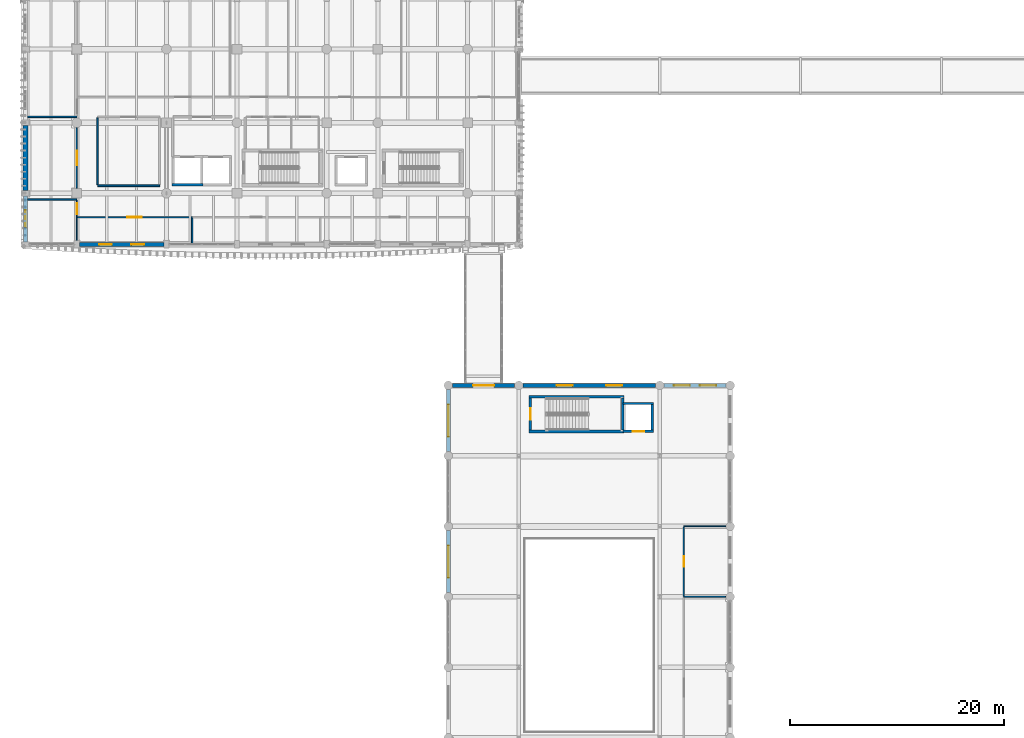
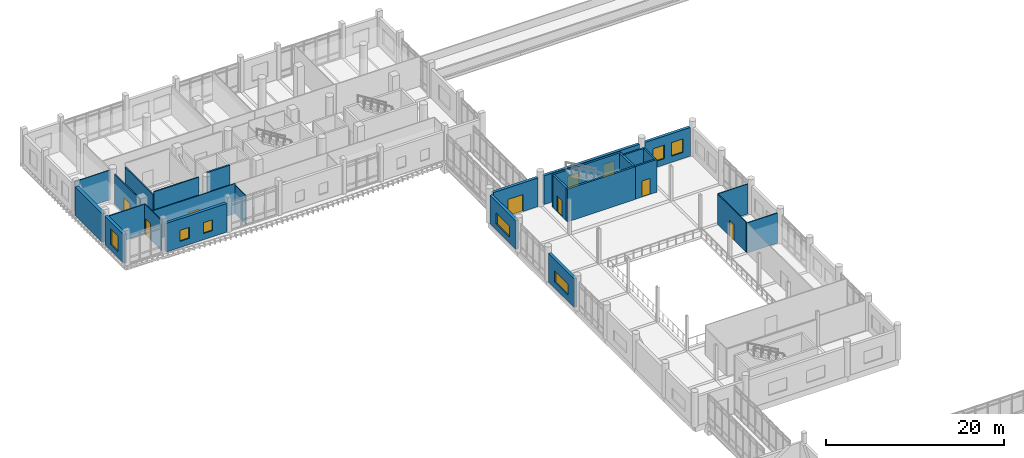
# One storey, part 69 of 101: 27 walls, 9 windows, 7 doors, 16 openings.
"""IFC4 building model written with IfcOpenShell, lengths in metres."""

from ifc_helpers import new_model, si_unit, direction, frame, frame_2d, origin, place, context, subcontext, project, spatial, rectangle, extrude, material, layer, layer_set, type_object, element, fill, save


model = new_model("IFC4")

# Units and contexts
model_context = context("Model", 3, precision=1e-05, world=origin(), true_north=direction((0.0, 1.0)))
body_context = subcontext(model_context, "Body", "Model", "MODEL_VIEW")
ifc_project = project(units=[si_unit("LENGTHUNIT", "METRE"), si_unit("AREAUNIT", "SQUARE_METRE"), si_unit("VOLUMEUNIT", "CUBIC_METRE"), si_unit("PLANEANGLEUNIT", "RADIAN"), si_unit("MASSUNIT", "GRAM", prefix="KILO")], contexts=[model_context])

# Site, building, storey
site_placement = place(None, origin())
site = spatial("IfcSite", under=ifc_project, at=site_placement, CompositionType="ELEMENT")
building_placement = place(site_placement, origin())
building = spatial("IfcBuilding", under=site, at=building_placement, Name="Dornvale Research Institute", CompositionType="ELEMENT")
storey_placement = place(building_placement, frame((0.0, 0.0, 10.199951171875)))
storey = spatial("IfcBuildingStorey", under=building, at=storey_placement, Name="L02", CompositionType="ELEMENT", Elevation=10.199951171875)

# Walls
ifc_material_1 = material(Name="Acoustic Insulated Double-Stud Laboratory Partition")
ifc_layer_1 = layer(ifc_material_1, 0.1201171875)
ifc_layer_set_1 = layer_set([ifc_layer_1], Name="Acoustic Insulated Double-Stud Laboratory Partition")
wall_type_1 = type_object("IfcWallType", Name="Partition_Dry_120", PredefinedType="PARTITIONING", material=ifc_layer_set_1)
for number, where, z_axis, x_axis, name in (
    (1, (0.195068359375, 103.199951171875, 0.0), (0.0, 0.0, 1.0), (1.0, 0.0, 0.0), "L02 V5 interior partition #247"),
    (2, (0.195068359375, 110.949951171875, 0.0), (0.0, 0.0, 1.0), (1.0, 0.0, 0.0), "L02 V5 interior partition #248"),
):
    element("IfcWall", number, at=place(storey_placement, frame(where, z_axis=z_axis, x_axis=x_axis)), inside=storey, type_object=wall_type_1, Name=name, PredefinedType="PARTITIONING", context=body_context, shape_type="SweptSolid", body=[
        extrude(rectangle(XDim=4.60498046875, YDim=0.1201171875, at=frame_2d((2.302490234375, 0.0))), origin(), (0.0, 0.0, 1.0), 4.080078125),
    ])

# Wall, opening, door
wall_1_placement = place(storey_placement, frame((4.800048828125, 104.27001953125, 0.0), z_axis=(0.0, 0.0, 1.0), x_axis=(0.0, 1.0, 0.0)))
wall_1 = element("IfcWall", 3, at=wall_1_placement, inside=storey, type_object=wall_type_1, Name="L02 V5 interior partition #249", PredefinedType="PARTITIONING", context=body_context, shape_type="SweptSolid", body=[
    extrude(rectangle(XDim=5.659912109375, YDim=0.1201171875, at=frame_2d((2.830078125, 0.0))), origin(), (0.0, 0.0, 1.0), 4.130126953125),
])
opening_1_placement = place(wall_1_placement, frame((2.169921875, 0.0, 0.0)))
opening_1 = element("IfcOpeningElement", 4, at=opening_1_placement, cuts=wall_1, Name="Opening ID-09", PredefinedType="OPENING", context=body_context, shape_type="SweptSolid", body=[
    extrude(rectangle(XDim=1.320068359375, YDim=2.199951171875, at=frame_2d((0.66015625, 1.10009765625))), frame((0.0, 0.074951171875, 0.0), z_axis=(0.0, -1.0, 0.0), x_axis=(1.0, 0.0, 0.0)), (0.0, 0.0, 1.0), 0.150146484375),
])
ifc_material_2 = material(Name="Phenolic-Faced Solid-Core Laboratory Door Assembly")
door_type_1 = type_object("IfcDoorType", Name="Door_DryLab_1320x2200", OperationType="SINGLE_SWING_LEFT", PredefinedType="DOOR", material=ifc_material_2)
door_1_placement = place(opening_1_placement, origin())
door_1 = element("IfcDoor", 5, at=door_1_placement, inside=storey, type_object=door_type_1, Name="L02 Optical Storage Calibration Room L02 door #99", OperationType="SINGLE_SWING_RIGHT", OverallHeight=2.199951171875, OverallWidth=1.320068359375, PredefinedType="DOOR", context=body_context, shape_type="SweptSolid", body=[
    extrude(rectangle(XDim=1.320068359375, YDim=2.199951171875, at=frame_2d((0.66015625, 1.10009765625))), frame((0.0, 0.02490234375, 0.0), z_axis=(0.0, -1.0, 0.0), x_axis=(1.0, 0.0, 0.0)), (0.0, 0.0, 1.0), 0.050048828125),
])
fill(opening_1, door_1)

wall_2_placement = place(storey_placement, frame((4.864990234375, 101.550048828125, 0.0), z_axis=(0.0, 0.0, 1.0), x_axis=(1.0, 0.0, 0.0)))
wall_2 = element("IfcWall", 6, at=wall_2_placement, inside=storey, type_object=wall_type_1, Name="L02 V5 interior partition #260", PredefinedType="PARTITIONING", context=body_context, shape_type="SweptSolid", body=[
    extrude(rectangle(XDim=10.735107421875, YDim=0.1201171875, at=frame_2d((5.36767578125, 0.0))), origin(), (0.0, 0.0, 1.0), 4.130126953125),
])
opening_2_placement = place(wall_2_placement, frame((4.64501953125, 0.0, 0.0)))
opening_2 = element("IfcOpeningElement", 7, at=opening_2_placement, cuts=wall_2, Name="Opening ID-08", PredefinedType="OPENING", context=body_context, shape_type="SweptSolid", body=[
    extrude(rectangle(XDim=1.3798828125, YDim=2.25, at=frame_2d((0.68994140625, 1.125))), frame((0.0, 0.074951171875, 0.0), z_axis=(0.0, -1.0, 0.0), x_axis=(1.0, 0.0, 0.0)), (0.0, 0.0, 1.0), 0.150146484375),
])
ifc_material_3 = material(Name="Insulated Fire-Rated Hollow Metal Door Assembly")
door_type_2 = type_object("IfcDoorType", Name="Door_DryLab_1380x2250", OperationType="SINGLE_SWING_LEFT", PredefinedType="DOOR", material=ifc_material_3)
door_2_placement = place(opening_2_placement, origin())
door_2 = element("IfcDoor", 8, at=door_2_placement, inside=storey, type_object=door_type_2, Name="L02 Biostatistics Dry Laboratory door #106", OperationType="SINGLE_SWING_LEFT", OverallHeight=2.25, OverallWidth=1.3798828125, PredefinedType="DOOR", context=body_context, shape_type="SweptSolid", body=[
    extrude(rectangle(XDim=1.3798828125, YDim=2.25, at=frame_2d((0.68994140625, 1.125))), frame((0.0, 0.02490234375, 0.0), z_axis=(0.0, -1.0, 0.0), x_axis=(1.0, 0.0, 0.0)), (0.0, 0.0, 1.0), 0.050048828125),
])
fill(opening_2, door_2)

# Walls
wall_3_placement = place(storey_placement, frame((15.60009765625, 99.0400390625, 0.0), z_axis=(0.0, 0.0, 1.0), x_axis=(0.0, 1.0, 0.0)))
element("IfcWall", 9, at=wall_3_placement, inside=storey, type_object=wall_type_1, Name="L02 V5 interior partition #261", PredefinedType="PARTITIONING", context=body_context, shape_type="SweptSolid", body=[
    extrude(rectangle(XDim=2.43505859375, YDim=0.1201171875, at=frame_2d((1.217529296875, 0.0))), origin(), (0.0, 0.0, 1.0), 3.929931640625),
])
wall_4_placement = place(storey_placement, frame((61.64990234375, 66.0, 0.0), z_axis=(0.0, 0.0, 1.0), x_axis=(1.0, 0.0, 0.0)))
element("IfcWall", 10, at=wall_4_placement, inside=storey, type_object=wall_type_1, Name="L02 V2 interior partition #313", PredefinedType="PARTITIONING", context=body_context, shape_type="SweptSolid", body=[
    extrude(rectangle(XDim=3.93017578125, YDim=0.1201171875, at=frame_2d((1.965087890625, 0.0))), origin(), (0.0, 0.0, 1.0), 4.130126953125),
])
ifc_material_4 = material(Name="Acoustic Insulated Double-Stud Laboratory Partition")
ifc_layer_2 = layer(ifc_material_4, 0.14990234375)
ifc_layer_set_2 = layer_set([ifc_layer_2], Name="Acoustic Insulated Double-Stud Laboratory Partition")
wall_type_2 = type_object("IfcWallType", Name="Partition_Lab_150", PredefinedType="PARTITIONING", material=ifc_layer_set_2)
wall_5_placement = place(storey_placement, frame((6.75, 104.5, 0.0), z_axis=(0.0, 0.0, 1.0), x_axis=(1.0, 0.0, 0.0)))
element("IfcWall", 11, at=wall_5_placement, inside=storey, type_object=wall_type_2, Name="L02 V5 interior partition #243", PredefinedType="PARTITIONING", context=body_context, shape_type="SweptSolid", body=[
    extrude(rectangle(XDim=5.800048828125, YDim=0.14990234375, at=frame_2d((2.89990234375, 0.0))), origin(), (0.0, 0.0, 1.0), 4.295166015625),
])
wall_6_placement = place(storey_placement, frame((6.75, 104.590087890625, 0.0), z_axis=(0.0, 0.0, 1.0), x_axis=(0.0, 1.0, 0.0)))
element("IfcWall", 12, at=wall_6_placement, inside=storey, type_object=wall_type_2, Name="L02 V5 interior partition #245", PredefinedType="PARTITIONING", context=body_context, shape_type="SweptSolid", body=[
    extrude(rectangle(XDim=6.27001953125, YDim=0.14990234375, at=frame_2d((3.135009765625, 0.0))), origin(), (0.0, 0.0, 1.0), 3.830078125),
])

# Wall, opening, door
ifc_material_5 = material(Name="Acoustic Insulated Double-Stud Laboratory Partition")
ifc_layer_3 = layer(ifc_material_5, 0.10009765625)
ifc_layer_set_3 = layer_set([ifc_layer_3], Name="Acoustic Insulated Double-Stud Laboratory Partition")
wall_type_3 = type_object("IfcWallType", Name="Partition_Office_100", PredefinedType="PARTITIONING", material=ifc_layer_set_3)
wall_7_placement = place(storey_placement, frame((4.800048828125, 99.3701171875, 0.0), z_axis=(0.0, 0.0, 1.0), x_axis=(0.0, 1.0, 0.0)))
wall_7 = element("IfcWall", 13, at=wall_7_placement, inside=storey, type_object=wall_type_3, Name="L02 V5 interior partition #259", PredefinedType="PARTITIONING", context=body_context, shape_type="SweptSolid", body=[
    extrude(rectangle(XDim=3.7548828125, YDim=0.10009765625, at=frame_2d((1.87744140625, 0.0))), origin(), (0.0, 0.0, 1.0), 4.130126953125),
])
opening_3_placement = place(wall_7_placement, frame((2.445068359375, 0.0, 0.0)))
opening_3 = element("IfcOpeningElement", 14, at=opening_3_placement, cuts=wall_7, Name="Opening ID-19", PredefinedType="OPENING", context=body_context, shape_type="SweptSolid", body=[
    extrude(rectangle(XDim=1.06005859375, YDim=2.199951171875, at=frame_2d((0.530029296875, 1.10009765625))), frame((0.0, 0.06494140625, 0.0), z_axis=(0.0, -1.0, 0.0), x_axis=(1.0, 0.0, 0.0)), (0.0, 0.0, 1.0), 0.130126953125),
])
ifc_material_6 = material(Name="Phenolic-Faced Solid-Core Laboratory Door Assembly")
door_type_3 = type_object("IfcDoorType", Name="Door_WriteUp_1060x2200", OperationType="SINGLE_SWING_LEFT", PredefinedType="DOOR", material=ifc_material_6)
door_3_placement = place(opening_3_placement, origin())
door_3 = element("IfcDoor", 15, at=door_3_placement, inside=storey, type_object=door_type_3, Name="L02 Research Instrument Study L02 door #105", OperationType="SINGLE_SWING_RIGHT", OverallHeight=2.199951171875, OverallWidth=1.06005859375, PredefinedType="DOOR", context=body_context, shape_type="SweptSolid", body=[
    extrude(rectangle(XDim=1.06005859375, YDim=2.199951171875, at=frame_2d((0.530029296875, 1.10009765625))), frame((0.0, 0.02490234375, 0.0), z_axis=(0.0, -1.0, 0.0), x_axis=(1.0, 0.0, 0.0)), (0.0, 0.0, 1.0), 0.050048828125),
])
fill(opening_3, door_3)

# Wall
wall_8_placement = place(storey_placement, frame((61.64990234375, 72.60009765625, 0.0), z_axis=(0.0, 0.0, 1.0), x_axis=(1.0, 0.0, 0.0)))
element("IfcWall", 16, at=wall_8_placement, inside=storey, type_object=wall_type_3, Name="L02 V2 interior partition #315", PredefinedType="PARTITIONING", context=body_context, shape_type="SweptSolid", body=[
    extrude(rectangle(XDim=3.93017578125, YDim=0.10009765625, at=frame_2d((1.965087890625, 0.0))), origin(), (0.0, 0.0, 1.0), 4.130126953125),
])

# Wall, opening, door
wall_9_placement = place(storey_placement, frame((61.64990234375, 66.074951171875, 0.0), z_axis=(0.0, 0.0, 1.0), x_axis=(0.0, 1.0, 0.0)))
wall_9 = element("IfcWall", 17, at=wall_9_placement, inside=storey, type_object=wall_type_3, Name="L02 V2 interior partition #316", PredefinedType="PARTITIONING", context=body_context, shape_type="SweptSolid", body=[
    extrude(rectangle(XDim=6.4599609375, YDim=0.10009765625, at=frame_2d((3.22998046875, 0.0))), origin(), (0.0, 0.0, 1.0), 4.130126953125),
])
opening_4_placement = place(wall_9_placement, frame((2.72509765625, 0.0, 0.0)))
opening_4 = element("IfcOpeningElement", 18, at=opening_4_placement, cuts=wall_9, Name="Opening ID-24", PredefinedType="OPENING", context=body_context, shape_type="SweptSolid", body=[
    extrude(rectangle(XDim=1.0, YDim=2.14990234375, at=frame_2d((0.5, 1.074951171875))), frame((0.0, 0.06494140625, 0.0), z_axis=(0.0, -1.0, 0.0), x_axis=(1.0, 0.0, 0.0)), (0.0, 0.0, 1.0), 0.130126953125),
])
ifc_material_7 = material(Name="Phenolic-Faced Solid-Core Laboratory Door Assembly")
door_type_4 = type_object("IfcDoorType", Name="Door_AccWC_1000x2150", OperationType="SINGLE_SWING_LEFT", PredefinedType="DOOR", material=ifc_material_7)
door_4_placement = place(opening_4_placement, origin())
door_4 = element("IfcDoor", 19, at=door_4_placement, inside=storey, type_object=door_type_4, Name="L02 Atrium Accessible Restroom L02 door #126", OperationType="SINGLE_SWING_LEFT", OverallHeight=2.14990234375, OverallWidth=1.0, PredefinedType="DOOR", context=body_context, shape_type="SweptSolid", body=[
    extrude(rectangle(XDim=1.0, YDim=2.14990234375, at=frame_2d((0.5, 1.074951171875))), frame((0.0, 0.02490234375, 0.0), z_axis=(0.0, -1.0, 0.0), x_axis=(1.0, 0.0, 0.0)), (0.0, 0.0, 1.0), 0.050048828125),
])
fill(opening_4, door_4)

# Walls
ifc_material_8 = material(Name="Concrete f'c 45 MPa (C35/45)", Category="concrete")
ifc_layer_4 = layer(ifc_material_8, 0.25)
ifc_layer_set_4 = layer_set([ifc_layer_4], Name="Concrete f'c 45 MPa (C35/45)")
wall_type_4 = type_object("IfcWallType", Name="ShearWall_Core_250", PredefinedType="SHEAR", material=ifc_layer_set_4)
for number, where, z_axis, x_axis, name in (
    (20, (47.14990234375, 81.47509765625, 0.0), (0.0, 0.0, 1.0), (1.0, 0.0, 0.0), "L02 ST-8 shaft shear wall south"),
    (21, (47.14990234375, 84.72509765625, 0.0), (0.0, 0.0, 1.0), (1.0, 0.0, 0.0), "L02 ST-8 shaft shear wall north"),
):
    element("IfcWall", number, at=place(storey_placement, frame(where, z_axis=z_axis, x_axis=x_axis)), inside=storey, type_object=wall_type_4, Name=name, PredefinedType="SHEAR", context=body_context, shape_type="SweptSolid", body=[
        extrude(rectangle(XDim=8.900146484375, YDim=0.25, at=frame_2d((4.4501953125, 0.0))), origin(), (0.0, 0.0, 1.0), 4.5),
    ])

# Wall, opening, door
wall_10_placement = place(storey_placement, frame((47.27490234375, 81.60009765625, 0.0), z_axis=(0.0, 0.0, 1.0), x_axis=(0.0, 1.0, 0.0)))
wall_10 = element("IfcWall", 22, at=wall_10_placement, inside=storey, type_object=wall_type_4, Name="L02 ST-8 shaft shear wall west", PredefinedType="SHEAR", context=body_context, shape_type="SweptSolid", body=[
    extrude(rectangle(XDim=3.0, YDim=0.25, at=frame_2d((1.5, 0.0))), origin(), (0.0, 0.0, 1.0), 4.5),
])
opening_5_placement = place(wall_10_placement, frame((0.9599609375, 0.0, 0.0)))
opening_5 = element("IfcOpeningElement", 23, at=opening_5_placement, cuts=wall_10, Name="Opening SD-02", PredefinedType="OPENING", context=body_context, shape_type="SweptSolid", body=[
    extrude(rectangle(XDim=1.080078125, YDim=2.199951171875, at=frame_2d((0.5400390625, 1.10009765625))), frame((0.0, 0.139892578125, 0.0), z_axis=(0.0, -1.0, 0.0), x_axis=(1.0, 0.0, 0.0)), (0.0, 0.0, 1.0), 0.280029296875),
])
ifc_material_9 = material(Name="Insulated Fire-Rated Hollow Metal Door Assembly")
door_type_5 = type_object("IfcDoorType", Name="Door_Stair_1080x2200", OperationType="SINGLE_SWING_LEFT", PredefinedType="DOOR", material=ifc_material_9)
door_5_placement = place(opening_5_placement, origin())
door_5 = element("IfcDoor", 24, at=door_5_placement, inside=storey, type_object=door_type_5, Name="L02 ST-8 exit stair door #57", OperationType="SINGLE_SWING_LEFT", OverallHeight=2.199951171875, OverallWidth=1.080078125, PredefinedType="DOOR", context=body_context, shape_type="SweptSolid", body=[
    extrude(rectangle(XDim=1.080078125, YDim=2.199951171875, at=frame_2d((0.5400390625, 1.10009765625))), frame((0.0, 0.02490234375, 0.0), z_axis=(0.0, -1.0, 0.0), x_axis=(1.0, 0.0, 0.0)), (0.0, 0.0, 1.0), 0.050048828125),
])
fill(opening_5, door_5)

# Walls
wall_11_placement = place(storey_placement, frame((55.925048828125, 81.60009765625, 0.0), z_axis=(0.0, 0.0, 1.0), x_axis=(0.0, 1.0, 0.0)))
element("IfcWall", 25, at=wall_11_placement, inside=storey, type_object=wall_type_4, Name="L02 ST-8 shaft shear wall east", PredefinedType="SHEAR", context=body_context, shape_type="SweptSolid", body=[
    extrude(rectangle(XDim=3.0, YDim=0.25, at=frame_2d((1.5, 0.0))), origin(), (0.0, 0.0, 1.0), 4.5),
])
ifc_material_10 = material(Name="Concrete f'c 45 MPa (C35/45)", Category="concrete")
ifc_layer_5 = layer(ifc_material_10, 0.219970703125)
ifc_layer_set_5 = layer_set([ifc_layer_5], Name="Concrete f'c 45 MPa (C35/45)")
wall_type_5 = type_object("IfcWallType", Name="ShearWall_Shaft_220", PredefinedType="SHEAR", material=ifc_layer_set_5)
wall_12_placement = place(storey_placement, frame((13.72998046875, 104.590087890625, 0.0), z_axis=(0.0, 0.0, 1.0), x_axis=(1.0, 0.0, 0.0)))
element("IfcWall", 26, at=wall_12_placement, inside=storey, type_object=wall_type_5, Name="L02 FS1 elevator shaft wall south", PredefinedType="SHEAR", context=body_context, shape_type="SweptSolid", body=[
    extrude(rectangle(XDim=2.89013671875, YDim=0.219970703125, at=frame_2d((1.445068359375, 0.0))), origin(), (0.0, 0.0, 1.0), 4.47998046875),
])

# Wall, opening, door
wall_13_placement = place(storey_placement, frame((55.97998046875, 81.489990234375, 0.0), z_axis=(0.0, 0.0, 1.0), x_axis=(1.0, 0.0, 0.0)))
wall_13 = element("IfcWall", 27, at=wall_13_placement, inside=storey, type_object=wall_type_5, Name="L02 LP3 elevator shaft wall south", PredefinedType="SHEAR", context=body_context, shape_type="SweptSolid", body=[
    extrude(rectangle(XDim=2.840087890625, YDim=0.219970703125, at=frame_2d((1.419921875, 0.0))), origin(), (0.0, 0.0, 1.0), 4.5),
])
opening_6_placement = place(wall_13_placement, frame((0.8701171875, 0.0, 0.0)))
opening_6 = element("IfcOpeningElement", 28, at=opening_6_placement, cuts=wall_13, Name="Opening LD-02", PredefinedType="OPENING", context=body_context, shape_type="SweptSolid", body=[
    extrude(rectangle(XDim=1.10009765625, YDim=2.199951171875, at=frame_2d((0.550048828125, 1.10009765625))), frame((0.0, 0.125, 0.0), z_axis=(0.0, -1.0, 0.0), x_axis=(1.0, 0.0, 0.0)), (0.0, 0.0, 1.0), 0.25),
])
ifc_material_11 = material(Name="Brushed Stainless Steel Sliding Elevator Landing Door", Category="steel")
door_type_6 = type_object("IfcDoorType", Name="Door_LiftLanding_Pass_1100x2200", OperationType="SINGLE_SWING_LEFT", PredefinedType="DOOR", material=ifc_material_11)
door_6_placement = place(opening_6_placement, origin())
door_6 = element("IfcDoor", 29, at=door_6_placement, inside=storey, type_object=door_type_6, Name="L02 LP3 sliding elevator landing door #60", OperationType="SLIDING_TO_LEFT", OverallHeight=2.199951171875, OverallWidth=1.10009765625, PredefinedType="DOOR", context=body_context, shape_type="SweptSolid", body=[
    extrude(rectangle(XDim=1.10009765625, YDim=2.199951171875, at=frame_2d((0.550048828125, 1.10009765625))), frame((0.0, 0.02490234375, 0.0), z_axis=(0.0, -1.0, 0.0), x_axis=(1.0, 0.0, 0.0)), (0.0, 0.0, 1.0), 0.050048828125),
])
fill(opening_6, door_6)

# Walls
wall_14_placement = place(storey_placement, frame((55.97998046875, 84.110107421875, 0.0), z_axis=(0.0, 0.0, 1.0), x_axis=(1.0, 0.0, 0.0)))
element("IfcWall", 30, at=wall_14_placement, inside=storey, type_object=wall_type_5, Name="L02 LP3 elevator shaft wall north", PredefinedType="SHEAR", context=body_context, shape_type="SweptSolid", body=[
    extrude(rectangle(XDim=2.840087890625, YDim=0.219970703125, at=frame_2d((1.419921875, 0.0))), origin(), (0.0, 0.0, 1.0), 4.5),
])
wall_15_placement = place(storey_placement, frame((58.7099609375, 81.60009765625, 0.0), z_axis=(0.0, 0.0, 1.0), x_axis=(0.0, 1.0, 0.0)))
element("IfcWall", 31, at=wall_15_placement, inside=storey, type_object=wall_type_5, Name="L02 LP3 elevator shaft wall east", PredefinedType="SHEAR", context=body_context, shape_type="SweptSolid", body=[
    extrude(rectangle(XDim=2.39990234375, YDim=0.219970703125, at=frame_2d((1.199951171875, 0.0))), origin(), (0.0, 0.0, 1.0), 4.5),
])
ifc_material_12 = material(Name="Precast Concrete f'c 40 MPa (C32/40) and Glazed Terracotta Backup Wall", Category="masonry")
ifc_layer_6 = layer(ifc_material_12, 0.449951171875)
ifc_layer_set_6 = layer_set([ifc_layer_6], Name="Precast Concrete f'c 40 MPa (C32/40) and Glazed Terracotta Backup Wall")
wall_type_6 = type_object("IfcWallType", Name="SolidWall_ShearBraceBay_450", PredefinedType="SOLIDWALL", material=ifc_layer_set_6)
wall_16_placement = place(storey_placement, frame((0.0, 104.050048828125, 0.0), z_axis=(0.0, 0.0, 1.0), x_axis=(0.0, 1.0, 0.0)))
element("IfcWall", 32, at=wall_16_placement, inside=storey, type_object=wall_type_6, Name="L02 V5 west exterior wall #319", PredefinedType="SOLIDWALL", context=body_context, shape_type="SweptSolid", body=[
    extrude(rectangle(XDim=6.099853515625, YDim=0.449951171875, at=frame_2d((3.0498046875, 0.0))), origin(), (0.0, 0.0, 1.0), 3.949951171875),
])

# Wall, opening, window
ifc_material_13 = material(Name="Catalan Pressed Brick and Insulated Cavity Assembly", Category="masonry")
ifc_layer_7 = layer(ifc_material_13, 0.360107421875)
ifc_layer_set_7 = layer_set([ifc_layer_7], Name="Catalan Pressed Brick and Insulated Cavity Assembly")
wall_type_7 = type_object("IfcWallType", Name="StandardWall_BrickCavity_360", PredefinedType="STANDARD", material=ifc_layer_set_7)
wall_17_placement = place(storey_placement, frame((39.60009765625, 66.39501953125, 0.0), z_axis=(0.0, 0.0, 1.0), x_axis=(0.0, 1.0, 0.0)))
wall_17 = element("IfcWall", 33, at=wall_17_placement, inside=storey, type_object=wall_type_7, Name="L02 V2 west exterior wall #83", PredefinedType="STANDARD", context=body_context, shape_type="SweptSolid", body=[
    extrude(rectangle(XDim=5.81005859375, YDim=0.360107421875, at=frame_2d((2.905029296875, 0.0))), origin(), (0.0, 0.0, 1.0), 3.949951171875),
])
opening_7_placement = place(wall_17_placement, frame((1.405029296875, 0.0, 0.85009765625)))
opening_7 = element("IfcOpeningElement", 34, at=opening_7_placement, cuts=wall_17, Name="Opening W-12", PredefinedType="OPENING", context=body_context, shape_type="SweptSolid", body=[
    extrude(rectangle(XDim=3.0, YDim=1.5, at=frame_2d((1.5, 0.75))), frame((0.0, 0.195068359375, 0.0), z_axis=(0.0, -1.0, 0.0), x_axis=(1.0, 0.0, 0.0)), (0.0, 0.0, 1.0), 0.39013671875),
])
ifc_material_14 = material(Name="Low-E Argon Double Insulating Glazing Unit", Category="glass")
window_type_1 = type_object("IfcWindowType", Name="Window_Alu_3000x1500_12", PartitioningType="DOUBLE_PANEL_VERTICAL", PredefinedType="WINDOW", material=ifc_material_14)
window_1_placement = place(opening_7_placement, origin())
window_1 = element("IfcWindow", 35, at=window_1_placement, inside=storey, type_object=window_type_1, Name="L02 V2 facade window W-12 #101", OverallHeight=1.5, OverallWidth=3.0, PartitioningType="DOUBLE_PANEL_VERTICAL", PredefinedType="WINDOW", context=body_context, shape_type="SweptSolid", body=[
    extrude(rectangle(XDim=3.0, YDim=1.5, at=frame_2d((1.5, 0.75))), frame((0.0, 0.030029296875, 0.0), z_axis=(0.0, -1.0, 0.0), x_axis=(1.0, 0.0, 0.0)), (0.0, 0.0, 1.0), 0.06005859375),
])
fill(opening_7, window_1)

wall_18_placement = place(storey_placement, frame((39.60009765625, 79.594970703125, 0.0), z_axis=(0.0, 0.0, 1.0), x_axis=(0.0, 1.0, 0.0)))
wall_18 = element("IfcWall", 36, at=wall_18_placement, inside=storey, type_object=wall_type_7, Name="L02 V2 west exterior wall #84", PredefinedType="STANDARD", context=body_context, shape_type="SweptSolid", body=[
    extrude(rectangle(XDim=5.81005859375, YDim=0.360107421875, at=frame_2d((2.905029296875, 0.0))), origin(), (0.0, 0.0, 1.0), 3.949951171875),
])
opening_8_placement = place(wall_18_placement, frame((1.405029296875, 0.0, 0.85009765625)))
opening_8 = element("IfcOpeningElement", 37, at=opening_8_placement, cuts=wall_18, Name="Opening W-12", PredefinedType="OPENING", context=body_context, shape_type="SweptSolid", body=[
    extrude(rectangle(XDim=3.0, YDim=1.5, at=frame_2d((1.5, 0.75))), frame((0.0, 0.195068359375, 0.0), z_axis=(0.0, -1.0, 0.0), x_axis=(1.0, 0.0, 0.0)), (0.0, 0.0, 1.0), 0.39013671875),
])
window_2_placement = place(opening_8_placement, origin())
window_2 = element("IfcWindow", 38, at=window_2_placement, inside=storey, type_object=window_type_1, Name="L02 V2 facade window W-12 #102", OverallHeight=1.5, OverallWidth=3.0, PartitioningType="DOUBLE_PANEL_VERTICAL", PredefinedType="WINDOW", context=body_context, shape_type="SweptSolid", body=[
    extrude(rectangle(XDim=3.0, YDim=1.5, at=frame_2d((1.5, 0.75))), frame((0.0, 0.030029296875, 0.0), z_axis=(0.0, -1.0, 0.0), x_axis=(1.0, 0.0, 0.0)), (0.0, 0.0, 1.0), 0.06005859375),
])
fill(opening_8, window_2)

# Wall, opening, door
wall_19_placement = place(storey_placement, frame((39.9951171875, 85.800048828125, 0.0), z_axis=(0.0, 0.0, 1.0), x_axis=(1.0, 0.0, 0.0)))
wall_19 = element("IfcWall", 39, at=wall_19_placement, inside=storey, type_object=wall_type_7, Name="L02 V2 north exterior wall #85", PredefinedType="STANDARD", context=body_context, shape_type="SweptSolid", body=[
    extrude(rectangle(XDim=5.809814453125, YDim=0.360107421875, at=frame_2d((2.90478515625, 0.0))), origin(), (0.0, 0.0, 1.0), 3.949951171875),
])
opening_9_placement = place(wall_19_placement, frame((1.929931640625, 0.0, 0.0)))
opening_9 = element("IfcOpeningElement", 40, at=opening_9_placement, cuts=wall_19, Name="Opening BD-01", PredefinedType="OPENING", context=body_context, shape_type="SweptSolid", body=[
    extrude(rectangle(XDim=1.949951171875, YDim=2.35009765625, at=frame_2d((0.97509765625, 1.175048828125))), frame((0.0, 0.195068359375, 0.0), z_axis=(0.0, -1.0, 0.0), x_axis=(1.0, 0.0, 0.0)), (0.0, 0.0, 1.0), 0.39013671875),
])
ifc_material_15 = material(Name="Galvanized Hollow Metal Insulated Door Assembly")
door_type_7 = type_object("IfcDoorType", Name="Door_BridgeJoint_1950x2350", OperationType="SINGLE_SWING_LEFT", PredefinedType="DOOR", material=ifc_material_15)
door_7_placement = place(opening_9_placement, origin())
door_7 = element("IfcDoor", 41, at=door_7_placement, inside=storey, type_object=door_type_7, Name="L02 V2 skybridge door BD-01 #12", OperationType="DOUBLE_DOOR_SINGLE_SWING", OverallHeight=2.35009765625, OverallWidth=1.949951171875, PredefinedType="DOOR", context=body_context, shape_type="SweptSolid", body=[
    extrude(rectangle(XDim=1.949951171875, YDim=2.35009765625, at=frame_2d((0.97509765625, 1.175048828125))), frame((0.0, 0.02490234375, 0.0), z_axis=(0.0, -1.0, 0.0), x_axis=(1.0, 0.0, 0.0)), (0.0, 0.0, 1.0), 0.050048828125),
])
fill(opening_9, door_7)

# Wall, openings, windows
wall_20_placement = place(storey_placement, frame((46.594970703125, 85.800048828125, 0.0), z_axis=(0.0, 0.0, 1.0), x_axis=(1.0, 0.0, 0.0)))
wall_20 = element("IfcWall", 42, at=wall_20_placement, inside=storey, type_object=wall_type_7, Name="L02 V2 north exterior wall #86", PredefinedType="STANDARD", context=body_context, shape_type="SweptSolid", body=[
    extrude(rectangle(XDim=12.409912109375, YDim=0.360107421875, at=frame_2d((6.205078125, 0.0))), origin(), (0.0, 0.0, 1.0), 3.949951171875),
])
opening_10_placement = place(wall_20_placement, frame((3.13671875, 0.0, 0.85009765625)))
opening_10 = element("IfcOpeningElement", 43, at=opening_10_placement, cuts=wall_20, Name="Opening W-15", PredefinedType="OPENING", context=body_context, shape_type="SweptSolid", body=[
    extrude(rectangle(XDim=1.5, YDim=1.860107421875, at=frame_2d((0.75, 0.93017578125))), frame((0.0, 0.195068359375, 0.0), z_axis=(0.0, -1.0, 0.0), x_axis=(1.0, 0.0, 0.0)), (0.0, 0.0, 1.0), 0.39013671875),
])
opening_11_placement = place(wall_20_placement, frame((7.7734375, 0.0, 0.85009765625)))
opening_11 = element("IfcOpeningElement", 44, at=opening_11_placement, cuts=wall_20, Name="Opening W-15", PredefinedType="OPENING", context=body_context, shape_type="SweptSolid", body=[
    extrude(rectangle(XDim=1.5, YDim=1.860107421875, at=frame_2d((0.75, 0.93017578125))), frame((0.0, 0.195068359375, 0.0), z_axis=(0.0, -1.0, 0.0), x_axis=(1.0, 0.0, 0.0)), (0.0, 0.0, 1.0), 0.39013671875),
])
ifc_material_16 = material(Name="Low-E Argon Double Insulating Glazing Unit", Category="glass")
window_type_2 = type_object("IfcWindowType", Name="Window_Alu_1500x1860_15", PartitioningType="SINGLE_PANEL", PredefinedType="WINDOW", material=ifc_material_16)
window_3_placement = place(opening_10_placement, origin())
window_3 = element("IfcWindow", 45, at=window_3_placement, inside=storey, type_object=window_type_2, Name="L02 V2 facade window W-15 #103", OverallHeight=1.860107421875, OverallWidth=1.5, PartitioningType="SINGLE_PANEL", PredefinedType="WINDOW", context=body_context, shape_type="SweptSolid", body=[
    extrude(rectangle(XDim=1.5, YDim=1.860107421875, at=frame_2d((0.75, 0.93017578125))), frame((0.0, 0.030029296875, 0.0), z_axis=(0.0, -1.0, 0.0), x_axis=(1.0, 0.0, 0.0)), (0.0, 0.0, 1.0), 0.06005859375),
])
fill(opening_10, window_3)
window_4_placement = place(opening_11_placement, origin())
window_4 = element("IfcWindow", 46, at=window_4_placement, inside=storey, type_object=window_type_2, Name="L02 V2 facade window W-15 #104", OverallHeight=1.860107421875, OverallWidth=1.5, PartitioningType="SINGLE_PANEL", PredefinedType="WINDOW", context=body_context, shape_type="SweptSolid", body=[
    extrude(rectangle(XDim=1.5, YDim=1.860107421875, at=frame_2d((0.75, 0.93017578125))), frame((0.0, 0.030029296875, 0.0), z_axis=(0.0, -1.0, 0.0), x_axis=(1.0, 0.0, 0.0)), (0.0, 0.0, 1.0), 0.06005859375),
])
fill(opening_11, window_4)

wall_21_placement = place(storey_placement, frame((59.794921875, 85.800048828125, 0.0), z_axis=(0.0, 0.0, 1.0), x_axis=(1.0, 0.0, 0.0)))
wall_21 = element("IfcWall", 47, at=wall_21_placement, inside=storey, type_object=wall_type_7, Name="L02 V2 north exterior wall #87", PredefinedType="STANDARD", context=body_context, shape_type="SweptSolid", body=[
    extrude(rectangle(XDim=5.81005859375, YDim=0.360107421875, at=frame_2d((2.905029296875, 0.0))), origin(), (0.0, 0.0, 1.0), 3.949951171875),
])
opening_12_placement = place(wall_21_placement, frame((0.936767578125, 0.0, 0.85009765625)))
opening_12 = element("IfcOpeningElement", 48, at=opening_12_placement, cuts=wall_21, Name="Opening W-15", PredefinedType="OPENING", context=body_context, shape_type="SweptSolid", body=[
    extrude(rectangle(XDim=1.5, YDim=1.860107421875, at=frame_2d((0.75, 0.93017578125))), frame((0.0, 0.195068359375, 0.0), z_axis=(0.0, -1.0, 0.0), x_axis=(1.0, 0.0, 0.0)), (0.0, 0.0, 1.0), 0.39013671875),
])
opening_13_placement = place(wall_21_placement, frame((3.373291015625, 0.0, 0.85009765625)))
opening_13 = element("IfcOpeningElement", 49, at=opening_13_placement, cuts=wall_21, Name="Opening W-15", PredefinedType="OPENING", context=body_context, shape_type="SweptSolid", body=[
    extrude(rectangle(XDim=1.5, YDim=1.860107421875, at=frame_2d((0.75, 0.93017578125))), frame((0.0, 0.195068359375, 0.0), z_axis=(0.0, -1.0, 0.0), x_axis=(1.0, 0.0, 0.0)), (0.0, 0.0, 1.0), 0.39013671875),
])
window_5_placement = place(opening_12_placement, origin())
window_5 = element("IfcWindow", 50, at=window_5_placement, inside=storey, type_object=window_type_2, Name="L02 V2 facade window W-15 #105", OverallHeight=1.860107421875, OverallWidth=1.5, PartitioningType="SINGLE_PANEL", PredefinedType="WINDOW", context=body_context, shape_type="SweptSolid", body=[
    extrude(rectangle(XDim=1.5, YDim=1.860107421875, at=frame_2d((0.75, 0.93017578125))), frame((0.0, 0.030029296875, 0.0), z_axis=(0.0, -1.0, 0.0), x_axis=(1.0, 0.0, 0.0)), (0.0, 0.0, 1.0), 0.06005859375),
])
fill(opening_12, window_5)
window_6_placement = place(opening_13_placement, origin())
window_6 = element("IfcWindow", 51, at=window_6_placement, inside=storey, type_object=window_type_2, Name="L02 V2 facade window W-15 #106", OverallHeight=1.860107421875, OverallWidth=1.5, PartitioningType="SINGLE_PANEL", PredefinedType="WINDOW", context=body_context, shape_type="SweptSolid", body=[
    extrude(rectangle(XDim=1.5, YDim=1.860107421875, at=frame_2d((0.75, 0.93017578125))), frame((0.0, 0.030029296875, 0.0), z_axis=(0.0, -1.0, 0.0), x_axis=(1.0, 0.0, 0.0)), (0.0, 0.0, 1.0), 0.06005859375),
])
fill(opening_13, window_6)

# Wall, opening, window
wall_22_placement = place(storey_placement, frame((0.0, 99.25, 0.0), z_axis=(0.0, 0.0, 1.0), x_axis=(0.0, 1.0, 0.0)))
wall_22 = element("IfcWall", 52, at=wall_22_placement, inside=storey, type_object=wall_type_7, Name="L02 V5 west exterior wall #318", PredefinedType="STANDARD", context=body_context, shape_type="SweptSolid", body=[
    extrude(rectangle(XDim=4.300048828125, YDim=0.360107421875, at=frame_2d((2.14990234375, 0.0))), origin(), (0.0, 0.0, 1.0), 3.949951171875),
])
opening_14_placement = place(wall_22_placement, frame((1.324951171875, 0.0, 0.85009765625)))
opening_14 = element("IfcOpeningElement", 53, at=opening_14_placement, cuts=wall_22, Name="Opening W-40", PredefinedType="OPENING", context=body_context, shape_type="SweptSolid", body=[
    extrude(rectangle(XDim=1.64990234375, YDim=2.080078125, at=frame_2d((0.824951171875, 1.0400390625))), frame((0.0, 0.195068359375, 0.0), z_axis=(0.0, -1.0, 0.0), x_axis=(1.0, 0.0, 0.0)), (0.0, 0.0, 1.0), 0.39013671875),
])
ifc_material_17 = material(Name="Low-E Argon Double Insulating Glazing Unit", Category="glass")
window_type_3 = type_object("IfcWindowType", Name="Window_Alu_1650x2080_40", PartitioningType="SINGLE_PANEL", PredefinedType="WINDOW", material=ifc_material_17)
window_7_placement = place(opening_14_placement, origin())
window_7 = element("IfcWindow", 54, at=window_7_placement, inside=storey, type_object=window_type_3, Name="L02 V5 facade window W-40 #433", OverallHeight=2.080078125, OverallWidth=1.64990234375, PartitioningType="SINGLE_PANEL", PredefinedType="WINDOW", context=body_context, shape_type="SweptSolid", body=[
    extrude(rectangle(XDim=1.64990234375, YDim=2.080078125, at=frame_2d((0.824951171875, 1.0400390625))), frame((0.0, 0.030029296875, 0.0), z_axis=(0.0, -1.0, 0.0), x_axis=(1.0, 0.0, 0.0)), (0.0, 0.0, 1.0), 0.06005859375),
])
fill(opening_14, window_7)

# Wall, openings, windows
wall_23_placement = place(storey_placement, frame((12.949951171875, 99.0, 0.0), z_axis=(0.0, 0.0, 1.0), x_axis=(-1.0, 0.0, 0.0)))
wall_23 = element("IfcWall", 55, at=wall_23_placement, inside=storey, type_object=wall_type_7, Name="L02 V5 south exterior wall #331", PredefinedType="STANDARD", context=body_context, shape_type="SweptSolid", body=[
    extrude(rectangle(XDim=7.89990234375, YDim=0.360107421875, at=frame_2d((3.949951171875, 0.0))), origin(), (0.0, 0.0, 1.0), 3.929931640625),
])
opening_15_placement = place(wall_23_placement, frame((1.833251953125, 0.0, 0.85009765625)))
opening_15 = element("IfcOpeningElement", 56, at=opening_15_placement, cuts=wall_23, Name="Opening W-01", PredefinedType="OPENING", context=body_context, shape_type="SweptSolid", body=[
    extrude(rectangle(XDim=1.199951171875, YDim=1.5, at=frame_2d((0.60009765625, 0.75))), frame((0.0, 0.195068359375, 0.0), z_axis=(0.0, -1.0, 0.0), x_axis=(1.0, 0.0, 0.0)), (0.0, 0.0, 1.0), 0.39013671875),
])
opening_16_placement = place(wall_23_placement, frame((4.86669921875, 0.0, 0.85009765625)))
opening_16 = element("IfcOpeningElement", 57, at=opening_16_placement, cuts=wall_23, Name="Opening W-01", PredefinedType="OPENING", context=body_context, shape_type="SweptSolid", body=[
    extrude(rectangle(XDim=1.199951171875, YDim=1.5, at=frame_2d((0.60009765625, 0.75))), frame((0.0, 0.195068359375, 0.0), z_axis=(0.0, -1.0, 0.0), x_axis=(1.0, 0.0, 0.0)), (0.0, 0.0, 1.0), 0.39013671875),
])
ifc_material_18 = material(Name="Low-E Argon Double Insulating Glazing Unit", Category="glass")
window_type_4 = type_object("IfcWindowType", Name="Window_Alu_1200x1500_01", PartitioningType="SINGLE_PANEL", PredefinedType="WINDOW", material=ifc_material_18)
window_8_placement = place(opening_15_placement, origin())
window_8 = element("IfcWindow", 58, at=window_8_placement, inside=storey, type_object=window_type_4, Name="L02 V5 facade window W-01 #448", OverallHeight=1.5, OverallWidth=1.199951171875, PartitioningType="SINGLE_PANEL", PredefinedType="WINDOW", context=body_context, shape_type="SweptSolid", body=[
    extrude(rectangle(XDim=1.199951171875, YDim=1.5, at=frame_2d((0.60009765625, 0.75))), frame((0.0, 0.030029296875, 0.0), z_axis=(0.0, -1.0, 0.0), x_axis=(1.0, 0.0, 0.0)), (0.0, 0.0, 1.0), 0.06005859375),
])
fill(opening_15, window_8)
window_9_placement = place(opening_16_placement, origin())
window_9 = element("IfcWindow", 59, at=window_9_placement, inside=storey, type_object=window_type_4, Name="L02 V5 facade window W-01 #449", OverallHeight=1.5, OverallWidth=1.199951171875, PartitioningType="SINGLE_PANEL", PredefinedType="WINDOW", context=body_context, shape_type="SweptSolid", body=[
    extrude(rectangle(XDim=1.199951171875, YDim=1.5, at=frame_2d((0.60009765625, 0.75))), frame((0.0, 0.030029296875, 0.0), z_axis=(0.0, -1.0, 0.0), x_axis=(1.0, 0.0, 0.0)), (0.0, 0.0, 1.0), 0.06005859375),
])
fill(opening_16, window_9)

save(model, "model.ifc")
